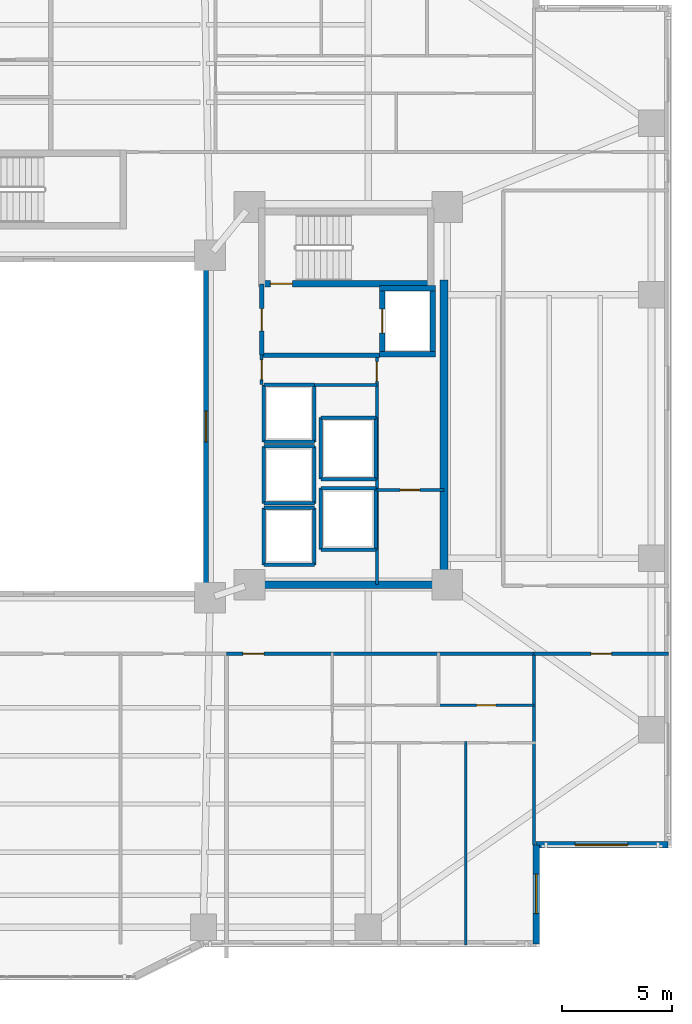
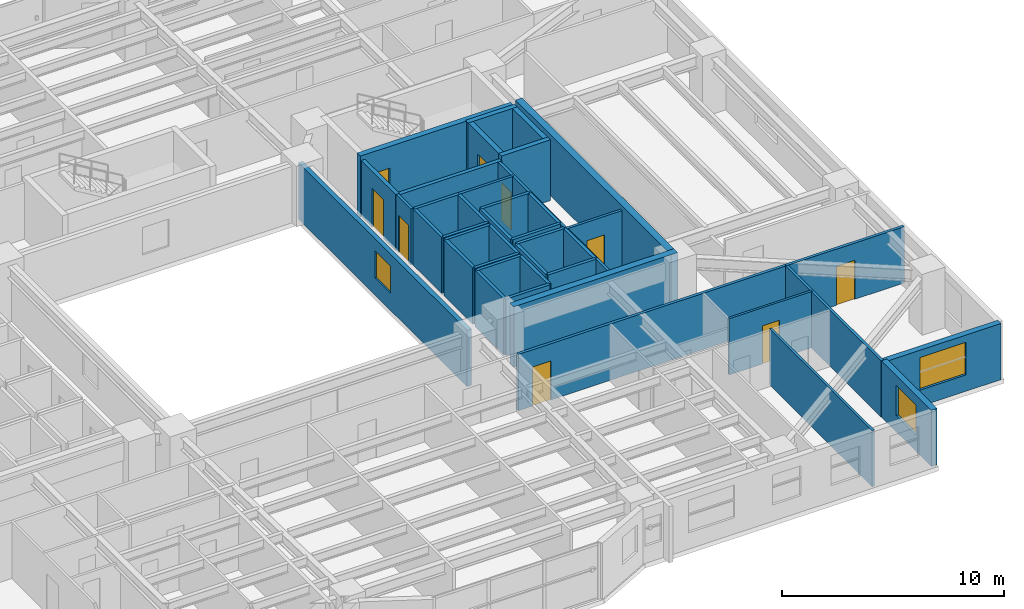
# One storey, part 12 of 20: 41 walls, 9 doors, 3 windows, 12 openings.
"""IFC4 building model written with IfcOpenShell, lengths in metres."""

from ifc_helpers import new_model, si_unit, direction, frame, frame_2d, origin, place, context, subcontext, project, spatial, rectangle, extrude, material, layer, layer_set, type_object, element, fill, save


model = new_model("IFC4")

# Units and contexts
model_context = context("Model", 3, precision=1e-05, world=origin(), true_north=direction((0.0, 1.0)))
body_context = subcontext(model_context, "Body", "Model", "MODEL_VIEW")
ifc_project = project(units=[si_unit("LENGTHUNIT", "METRE"), si_unit("AREAUNIT", "SQUARE_METRE"), si_unit("VOLUMEUNIT", "CUBIC_METRE"), si_unit("PLANEANGLEUNIT", "RADIAN"), si_unit("MASSUNIT", "GRAM", prefix="KILO")], contexts=[model_context])

# Site, building, storey
site_placement = place(None, origin())
site = spatial("IfcSite", under=ifc_project, at=site_placement, CompositionType="ELEMENT")
building_placement = place(site_placement, origin())
building = spatial("IfcBuilding", under=site, at=building_placement, Name="Tarnavaz Court Tower", CompositionType="ELEMENT")
storey_placement = place(building_placement, frame((0.0, 0.0, 30.699951171875)))
storey = spatial("IfcBuildingStorey", under=building, at=storey_placement, Name="L07", CompositionType="ELEMENT", Elevation=30.699951171875)

# Wall, opening, door
ifc_material_1 = material(Name="Concrete C60/75", Category="concrete")
ifc_layer_1 = layer(ifc_material_1, 0.25)
ifc_layer_set_1 = layer_set([ifc_layer_1], Name="Concrete C60/75")
wall_type_1 = type_object("IfcWallType", Name="WL-CORE-250-C60", PredefinedType="SHEAR", material=ifc_layer_set_1)
wall_1_placement = place(storey_placement, frame((15.64990234375, 3.175048828125, 0.0), z_axis=(0.0, 0.0, 1.0), x_axis=(0.0, 1.0, 0.0)))
wall_1 = element("IfcWall", 1, at=wall_1_placement, inside=storey, type_object=wall_type_1, Name="L07 Lift FL-E1 Shaft Wall 045", PredefinedType="SHEAR", context=body_context, shape_type="SweptSolid", body=[
    extrude(rectangle(XDim=3.25, YDim=0.25, at=frame_2d((1.625, 0.0))), origin(), (0.0, 0.0, 1.0), 3.35009765625),
])
opening_1_placement = place(wall_1_placement, frame((1.074951171875, 0.0, 0.0)))
opening_1 = element("IfcOpeningElement", 2, at=opening_1_placement, cuts=wall_1, Name="Opening LD1", PredefinedType="OPENING", context=body_context, shape_type="SweptSolid", body=[
    extrude(rectangle(XDim=1.10009765625, YDim=2.14990234375, at=frame_2d((0.550048828125, 1.074951171875))), frame((0.0, 0.135009765625, 0.0), z_axis=(0.0, -1.0, 0.0), x_axis=(1.0, 0.0, 0.0)), (0.0, 0.0, 1.0), 0.27001953125),
])
ifc_material_2 = material(Name="Stainless Steel", Category="steel")
door_type_1 = type_object("IfcDoorType", Name="DR-LD-1100", OperationType="NOTDEFINED", PredefinedType="DOOR", material=ifc_material_2)
door_1_placement = place(opening_1_placement, origin())
door_1 = element("IfcDoor", 3, at=door_1_placement, inside=storey, type_object=door_type_1, Name="L07 Lift Landing Door LD-FL-E1", OperationType="SLIDING_TO_LEFT", OverallHeight=2.14990234375, OverallWidth=1.10009765625, PredefinedType="DOOR", context=body_context, shape_type="SweptSolid", body=[
    extrude(rectangle(XDim=1.10009765625, YDim=2.14990234375, at=frame_2d((0.550048828125, 1.074951171875))), frame((0.0, 0.02490234375, 0.0), z_axis=(0.0, -1.0, 0.0), x_axis=(1.0, 0.0, 0.0)), (0.0, 0.0, 1.0), 0.050048828125),
])
fill(opening_1, door_1)

# Walls
wall_2_placement = place(storey_placement, frame((17.949951171875, 3.175048828125, 0.0), z_axis=(0.0, 0.0, 1.0), x_axis=(0.0, 1.0, 0.0)))
element("IfcWall", 4, at=wall_2_placement, inside=storey, type_object=wall_type_1, Name="L07 Lift FL-E1 Shaft Wall 046", PredefinedType="SHEAR", context=body_context, shape_type="SweptSolid", body=[
    extrude(rectangle(XDim=3.25, YDim=0.25, at=frame_2d((1.625, 0.0))), origin(), (0.0, 0.0, 1.0), 3.35009765625),
])
for number, where, z_axis, x_axis, name in (
    (5, (15.52490234375, 3.300048828125, 0.0), (0.0, 0.0, 1.0), (1.0, 0.0, 0.0), "L07 Lift FL-E1 Shaft Wall 047"),
    (6, (15.52490234375, 6.300048828125, 0.0), (0.0, 0.0, 1.0), (1.0, 0.0, 0.0), "L07 Lift FL-E1 Shaft Wall 048"),
):
    element("IfcWall", number, at=place(storey_placement, frame(where, z_axis=z_axis, x_axis=x_axis)), inside=storey, type_object=wall_type_1, Name=name, PredefinedType="SHEAR", context=body_context, shape_type="SweptSolid", body=[
        extrude(rectangle(XDim=2.550048828125, YDim=0.25, at=frame_2d((1.27490234375, 0.0))), origin(), (0.0, 0.0, 1.0), 3.35009765625),
    ])

# Wall, opening, door
ifc_layer_2 = layer(ifc_material_1, 0.300048828125)
ifc_layer_set_2 = layer_set([ifc_layer_2], Name="Concrete C60/75")
wall_type_2 = type_object("IfcWallType", Name="WL-CORE-300-C60", PredefinedType="SHEAR", material=ifc_layer_set_2)
wall_3_placement = place(storey_placement, frame((10.0, 6.5, 0.0), z_axis=(0.0, 0.0, 1.0), x_axis=(1.0, 0.0, 0.0)))
wall_3 = element("IfcWall", 7, at=wall_3_placement, inside=storey, type_object=wall_type_2, Name="L07 East Stair Core Wall 006", PredefinedType="SHEAR", context=body_context, shape_type="SweptSolid", body=[
    extrude(rectangle(XDim=8.0, YDim=0.300048828125, at=frame_2d((4.0, 0.0))), origin(), (0.0, 0.0, 1.0), 3.35009765625),
])
opening_2_placement = place(wall_3_placement, frame((0.550048828125, 0.0, 0.0)))
opening_2 = element("IfcOpeningElement", 8, at=opening_2_placement, cuts=wall_3, Name="Opening D01", PredefinedType="OPENING", context=body_context, shape_type="SweptSolid", body=[
    extrude(rectangle(XDim=1.0, YDim=2.14990234375, at=frame_2d((0.5, 1.074951171875))), frame((0.0, 0.159912109375, 0.0), z_axis=(0.0, -1.0, 0.0), x_axis=(1.0, 0.0, 0.0)), (0.0, 0.0, 1.0), 0.320068359375),
])
ifc_material_3 = material(Name="Fire-Rated Hardwood Timber Core", Category="wood")
door_type_2 = type_object("IfcDoorType", Name="DR-FD90-1000", OperationType="NOTDEFINED", PredefinedType="DOOR", material=ifc_material_3)
door_2_placement = place(opening_2_placement, origin())
door_2 = element("IfcDoor", 9, at=door_2_placement, inside=storey, type_object=door_type_2, Name="L07 Stair ST-E1 Exit Door", OperationType="SINGLE_SWING_RIGHT", OverallHeight=2.14990234375, OverallWidth=1.0, PredefinedType="DOOR", context=body_context, shape_type="SweptSolid", body=[
    extrude(rectangle(XDim=1.0, YDim=2.14990234375, at=frame_2d((0.5, 1.074951171875))), frame((0.0, 0.02490234375, 0.0), z_axis=(0.0, -1.0, 0.0), x_axis=(1.0, 0.0, 0.0)), (0.0, 0.0, 1.0), 0.050048828125),
])
fill(opening_2, door_2)

# Walls
ifc_layer_3 = layer(ifc_material_1, 0.35009765625)
ifc_layer_set_3 = layer_set([ifc_layer_3], Name="Concrete C60/75")
wall_type_3 = type_object("IfcWallType", Name="WL-CORE-350-C60", PredefinedType="SHEAR", material=ifc_layer_set_3)
wall_4_placement = place(storey_placement, frame((18.449951171875, -7.375, 0.0), z_axis=(0.0, 0.0, 1.0), x_axis=(0.0, 1.0, 0.0)))
element("IfcWall", 10, at=wall_4_placement, inside=storey, type_object=wall_type_3, Name="L07 East Core Shear Wall 071", PredefinedType="SHEAR", context=body_context, shape_type="SweptSolid", body=[
    extrude(rectangle(XDim=14.050048828125, YDim=0.35009765625, at=frame_2d((7.02490234375, 0.0))), origin(), (0.0, 0.0, 1.0), 3.35009765625),
])
wall_5_placement = place(storey_placement, frame((10.074951171875, -7.199951171875, 0.0), z_axis=(0.0, 0.0, 1.0), x_axis=(1.0, 0.0, 0.0)))
element("IfcWall", 11, at=wall_5_placement, inside=storey, type_object=wall_type_3, Name="L07 East Core South Shear Wall 072", PredefinedType="SHEAR", context=body_context, shape_type="SweptSolid", body=[
    extrude(rectangle(XDim=8.550048828125, YDim=0.35009765625, at=frame_2d((4.27490234375, 0.0))), origin(), (0.0, 0.0, 1.0), 3.35009765625),
])

# Wall, opening, window
ifc_material_4 = material(Name="Precast Concrete C40/50", Category="concrete")
ifc_layer_4 = layer(ifc_material_4, 0.300048828125)
ifc_layer_set_4 = layer_set([ifc_layer_4], Name="Precast Concrete C40/50")
wall_type_4 = type_object("IfcWallType", Name="WL-EXT-300", PredefinedType="SOLIDWALL", material=ifc_layer_set_4)
wall_6_placement = place(storey_placement, frame((28.64990234375, -19.050048828125, 0.0), z_axis=(0.0, 0.0, 1.0), x_axis=(-1.0, 0.0, 0.0)))
wall_6 = element("IfcWall", 12, at=wall_6_placement, inside=storey, type_object=wall_type_4, Name="L07 Exterior Terracotta Facade Wall 13", PredefinedType="SOLIDWALL", context=body_context, shape_type="SweptSolid", body=[
    extrude(rectangle(XDim=6.0, YDim=0.300048828125, at=frame_2d((3.0, 0.0))), origin(), (0.0, 0.0, 1.0), 3.10009765625),
])
opening_3_placement = place(wall_6_placement, frame((1.824951171875, 0.0, 0.89990234375)))
opening_3 = element("IfcOpeningElement", 13, at=opening_3_placement, cuts=wall_6, Name="Opening W06", PredefinedType="OPENING", context=body_context, shape_type="SweptSolid", body=[
    extrude(rectangle(XDim=2.39990234375, YDim=1.800048828125, at=frame_2d((1.199951171875, 0.89990234375))), frame((0.0, 0.159912109375, 0.0), z_axis=(0.0, -1.0, 0.0), x_axis=(1.0, 0.0, 0.0)), (0.0, 0.0, 1.0), 0.320068359375),
])
ifc_material_5 = material(Name="Double-Glazed Solar Low-E Glass", Category="glass")
window_type_1 = type_object("IfcWindowType", Name="WN-APT-2400", PartitioningType="TRIPLE_PANEL_VERTICAL", PredefinedType="WINDOW", material=ifc_material_5)
window_1_placement = place(opening_3_placement, origin())
window_1 = element("IfcWindow", 14, at=window_1_placement, inside=storey, type_object=window_type_1, Name="L07 South-East Corner Reading Room Window", OverallHeight=1.800048828125, OverallWidth=2.39990234375, PartitioningType="SINGLE_PANEL", PredefinedType="WINDOW", context=body_context, shape_type="SweptSolid", body=[
    extrude(rectangle(XDim=2.39990234375, YDim=1.800048828125, at=frame_2d((1.199951171875, 0.89990234375))), frame((0.0, 0.030029296875, 0.0), z_axis=(0.0, -1.0, 0.0), x_axis=(1.0, 0.0, 0.0)), (0.0, 0.0, 1.0), 0.06005859375),
])
fill(opening_3, window_1)

wall_7_placement = place(storey_placement, frame((22.64990234375, -19.050048828125, 0.0), z_axis=(0.0, 0.0, 1.0), x_axis=(0.0, -1.0, 0.0)))
wall_7 = element("IfcWall", 15, at=wall_7_placement, inside=storey, type_object=wall_type_4, Name="L07 Exterior Terracotta Facade Wall 14", PredefinedType="SOLIDWALL", context=body_context, shape_type="SweptSolid", body=[
    extrude(rectangle(XDim=4.5, YDim=0.300048828125, at=frame_2d((2.25, 0.0))), origin(), (0.0, 0.0, 1.0), 3.10009765625),
])
opening_4_placement = place(wall_7_placement, frame((1.33251953125, 0.0, 0.89990234375)))
opening_4 = element("IfcOpeningElement", 16, at=opening_4_placement, cuts=wall_7, Name="Opening W01", PredefinedType="OPENING", context=body_context, shape_type="SweptSolid", body=[
    extrude(rectangle(XDim=1.800048828125, YDim=1.64990234375, at=frame_2d((0.89990234375, 0.824951171875))), frame((0.0, 0.159912109375, 0.0), z_axis=(0.0, -1.0, 0.0), x_axis=(1.0, 0.0, 0.0)), (0.0, 0.0, 1.0), 0.320068359375),
])
window_type_2 = type_object("IfcWindowType", Name="WN-APT-1800", PartitioningType="DOUBLE_PANEL_VERTICAL", PredefinedType="WINDOW", material=ifc_material_5)
window_2_placement = place(opening_4_placement, origin())
window_2 = element("IfcWindow", 17, at=window_2_placement, inside=storey, type_object=window_type_2, Name="L07 Flat 04 Bedroom 3 Window", OverallHeight=1.64990234375, OverallWidth=1.800048828125, PartitioningType="SINGLE_PANEL", PredefinedType="WINDOW", context=body_context, shape_type="SweptSolid", body=[
    extrude(rectangle(XDim=1.800048828125, YDim=1.64990234375, at=frame_2d((0.89990234375, 0.824951171875))), frame((0.0, 0.030029296875, 0.0), z_axis=(0.0, -1.0, 0.0), x_axis=(1.0, 0.0, 0.0)), (0.0, 0.0, 1.0), 0.06005859375),
])
fill(opening_4, window_2)

# Wall, opening, door
ifc_material_6 = material(Name="Gypsum Fire-Board on Acoustic Metal Stud", Category="masonry")
ifc_layer_5 = layer(ifc_material_6, 0.14990234375)
ifc_layer_set_5 = layer_set([ifc_layer_5], Name="Gypsum Fire-Board on Acoustic Metal Stud")
wall_type_5 = type_object("IfcWallType", Name="WL-FIRE-150", PredefinedType="PARTITIONING", material=ifc_layer_set_5)
wall_8_placement = place(storey_placement, frame((8.550048828125, -10.35009765625, 0.0), z_axis=(0.0, 0.0, 1.0), x_axis=(1.0, 0.0, 0.0)))
wall_8 = element("IfcWall", 18, at=wall_8_placement, inside=storey, type_object=wall_type_5, Name="L07 SE Corridor Wall 086", PredefinedType="PARTITIONING", context=body_context, shape_type="SweptSolid", body=[
    extrude(rectangle(XDim=14.0, YDim=0.14990234375, at=frame_2d((7.0, 0.0))), origin(), (0.0, 0.0, 1.0), 3.10009765625),
])
opening_5_placement = place(wall_8_placement, frame((0.75, 0.0, 0.0)))
opening_5 = element("IfcOpeningElement", 19, at=opening_5_placement, cuts=wall_8, Name="Opening D06", PredefinedType="OPENING", context=body_context, shape_type="SweptSolid", body=[
    extrude(rectangle(XDim=0.9599609375, YDim=2.14990234375, at=frame_2d((0.47998046875, 1.074951171875))), frame((0.0, 0.0849609375, 0.0), z_axis=(0.0, -1.0, 0.0), x_axis=(1.0, 0.0, 0.0)), (0.0, 0.0, 1.0), 0.169921875),
])
door_type_3 = type_object("IfcDoorType", Name="DR-FD60-950", OperationType="NOTDEFINED", PredefinedType="DOOR", material=ifc_material_3)
door_3_placement = place(opening_5_placement, origin())
door_3 = element("IfcDoor", 20, at=door_3_placement, inside=storey, type_object=door_type_3, Name="L07 Flat 04 Entrance Door", OperationType="SINGLE_SWING_LEFT", OverallHeight=2.14990234375, OverallWidth=0.9599609375, PredefinedType="DOOR", context=body_context, shape_type="SweptSolid", body=[
    extrude(rectangle(XDim=0.9599609375, YDim=2.14990234375, at=frame_2d((0.47998046875, 1.074951171875))), frame((0.0, 0.02490234375, 0.0), z_axis=(0.0, -1.0, 0.0), x_axis=(1.0, 0.0, 0.0)), (0.0, 0.0, 1.0), 0.050048828125),
])
fill(opening_5, door_3)

wall_9_placement = place(storey_placement, frame((22.550048828125, -10.35009765625, 0.0), z_axis=(0.0, 0.0, 1.0), x_axis=(1.0, 0.0, 0.0)))
wall_9 = element("IfcWall", 21, at=wall_9_placement, inside=storey, type_object=wall_type_5, Name="L07 Interior Partition 132", PredefinedType="PARTITIONING", context=body_context, shape_type="SweptSolid", body=[
    extrude(rectangle(XDim=6.1298828125, YDim=0.14990234375, at=frame_2d((3.06494140625, 0.0))), origin(), (0.0, 0.0, 1.0), 3.10009765625),
])
opening_6_placement = place(wall_9_placement, frame((2.590087890625, 0.0, 0.0)))
opening_6 = element("IfcOpeningElement", 22, at=opening_6_placement, cuts=wall_9, Name="Opening D13", PredefinedType="OPENING", context=body_context, shape_type="SweptSolid", body=[
    extrude(rectangle(XDim=0.949951171875, YDim=2.14990234375, at=frame_2d((0.47509765625, 1.074951171875))), frame((0.0, 0.0849609375, 0.0), z_axis=(0.0, -1.0, 0.0), x_axis=(1.0, 0.0, 0.0)), (0.0, 0.0, 1.0), 0.169921875),
])
ifc_material_7 = material(Name="Engineered Oak Timber", Category="wood")
door_type_4 = type_object("IfcDoorType", Name="DR-INT-950", OperationType="NOTDEFINED", PredefinedType="DOOR", material=ifc_material_7)
door_4_placement = place(opening_6_placement, origin())
door_4 = element("IfcDoor", 23, at=door_4_placement, inside=storey, type_object=door_type_4, Name="L07 SE Reading Room Door", OperationType="SINGLE_SWING_RIGHT", OverallHeight=2.14990234375, OverallWidth=0.949951171875, PredefinedType="DOOR", context=body_context, shape_type="SweptSolid", body=[
    extrude(rectangle(XDim=0.949951171875, YDim=2.14990234375, at=frame_2d((0.47509765625, 1.074951171875))), frame((0.0, 0.02490234375, 0.0), z_axis=(0.0, -1.0, 0.0), x_axis=(1.0, 0.0, 0.0)), (0.0, 0.0, 1.0), 0.050048828125),
])
fill(opening_6, door_4)

# Wall
ifc_material_8 = material(Name="Autoclaved Aerated Concrete Blockwork", Category="masonry")
ifc_layer_6 = layer(ifc_material_8, 0.199951171875)
ifc_layer_set_6 = layer_set([ifc_layer_6], Name="Autoclaved Aerated Concrete Blockwork")
wall_type_6 = type_object("IfcWallType", Name="WL-FIRE-200", PredefinedType="SOLIDWALL", material=ifc_layer_set_6)
wall_10_placement = place(storey_placement, frame((10.14990234375, 3.25, 0.0), z_axis=(0.0, 0.0, 1.0), x_axis=(1.0, 0.0, 0.0)))
element("IfcWall", 24, at=wall_10_placement, inside=storey, type_object=wall_type_6, Name="L07 East Firefighting Lobby Wall 015", PredefinedType="SOLIDWALL", context=body_context, shape_type="SweptSolid", body=[
    extrude(rectangle(XDim=5.400146484375, YDim=0.199951171875, at=frame_2d((2.7001953125, 0.0))), origin(), (0.0, 0.0, 1.0), 3.10009765625),
])

# Wall, opening, door
wall_11_placement = place(storey_placement, frame((10.14990234375, 3.25, 0.0), z_axis=(0.0, 0.0, 1.0), x_axis=(0.0, 1.0, 0.0)))
wall_11 = element("IfcWall", 25, at=wall_11_placement, inside=storey, type_object=wall_type_6, Name="L07 East Firefighting Lobby Wall 016", PredefinedType="SOLIDWALL", context=body_context, shape_type="SweptSolid", body=[
    extrude(rectangle(XDim=3.25, YDim=0.199951171875, at=frame_2d((1.625, 0.0))), origin(), (0.0, 0.0, 1.0), 3.10009765625),
])
opening_7_placement = place(wall_11_placement, frame((1.10009765625, 0.0, 0.0)))
opening_7 = element("IfcOpeningElement", 26, at=opening_7_placement, cuts=wall_11, Name="Opening D05", PredefinedType="OPENING", context=body_context, shape_type="SweptSolid", body=[
    extrude(rectangle(XDim=1.02001953125, YDim=2.14990234375, at=frame_2d((0.510009765625, 1.074951171875))), frame((0.0, 0.10986328125, 0.0), z_axis=(0.0, -1.0, 0.0), x_axis=(1.0, 0.0, 0.0)), (0.0, 0.0, 1.0), 0.219970703125),
])
door_type_5 = type_object("IfcDoorType", Name="DR-FD60-1000", OperationType="NOTDEFINED", PredefinedType="DOOR", material=ifc_material_3)
door_5_placement = place(opening_7_placement, origin())
door_5 = element("IfcDoor", 27, at=door_5_placement, inside=storey, type_object=door_type_5, Name="L07 East Firefighting Lobby Door", OperationType="SINGLE_SWING_LEFT", OverallHeight=2.14990234375, OverallWidth=1.02001953125, PredefinedType="DOOR", context=body_context, shape_type="SweptSolid", body=[
    extrude(rectangle(XDim=1.02001953125, YDim=2.14990234375, at=frame_2d((0.510009765625, 1.074951171875))), frame((0.0, 0.02490234375, 0.0), z_axis=(0.0, -1.0, 0.0), x_axis=(1.0, 0.0, 0.0)), (0.0, 0.0, 1.0), 0.050048828125),
])
fill(opening_7, door_5)

ifc_material_9 = material(Name="Moisture-Resistant Gypsum Board Partition", Category="masonry")
ifc_layer_7 = layer(ifc_material_9, 0.1201171875)
ifc_layer_set_7 = layer_set([ifc_layer_7], Name="Moisture-Resistant Gypsum Board Partition")
wall_type_7 = type_object("IfcWallType", Name="WL-PART-120", PredefinedType="PARTITIONING", material=ifc_layer_set_7)
wall_12_placement = place(storey_placement, frame((18.199951171875, -12.68994140625, 0.0), z_axis=(0.0, 0.0, 1.0), x_axis=(1.0, 0.0, 0.0)))
wall_12 = element("IfcWall", 28, at=wall_12_placement, inside=storey, type_object=wall_type_7, Name="L07 Interior Partition 112", PredefinedType="PARTITIONING", context=body_context, shape_type="SweptSolid", body=[
    extrude(rectangle(XDim=4.35009765625, YDim=0.1201171875, at=frame_2d((2.175048828125, 0.0))), origin(), (0.0, 0.0, 1.0), 3.10009765625),
])
opening_8_placement = place(wall_12_placement, frame((1.735107421875, 0.0, 0.0)))
opening_8 = element("IfcOpeningElement", 29, at=opening_8_placement, cuts=wall_12, Name="Opening D14", PredefinedType="OPENING", context=body_context, shape_type="SweptSolid", body=[
    extrude(rectangle(XDim=0.8798828125, YDim=2.10009765625, at=frame_2d((0.43994140625, 1.050048828125))), frame((0.0, 0.070068359375, 0.0), z_axis=(0.0, -1.0, 0.0), x_axis=(1.0, 0.0, 0.0)), (0.0, 0.0, 1.0), 0.14013671875),
])
door_type_6 = type_object("IfcDoorType", Name="DR-INT-900", OperationType="NOTDEFINED", PredefinedType="DOOR", material=ifc_material_7)
door_6_placement = place(opening_8_placement, origin())
door_6 = element("IfcDoor", 30, at=door_6_placement, inside=storey, type_object=door_type_6, Name="L07 Flat 04 Bathroom Door", OperationType="SINGLE_SWING_RIGHT", OverallHeight=2.10009765625, OverallWidth=0.8798828125, PredefinedType="DOOR", context=body_context, shape_type="SweptSolid", body=[
    extrude(rectangle(XDim=0.8798828125, YDim=2.10009765625, at=frame_2d((0.43994140625, 1.050048828125))), frame((0.0, 0.02490234375, 0.0), z_axis=(0.0, -1.0, 0.0), x_axis=(1.0, 0.0, 0.0)), (0.0, 0.0, 1.0), 0.050048828125),
])
fill(opening_8, door_6)

# Walls
wall_13_placement = place(storey_placement, frame((19.447021484375, -23.60009765625, 0.0), z_axis=(0.0, 0.0, 1.0), x_axis=(0.0, 1.0, 0.0)))
element("IfcWall", 31, at=wall_13_placement, inside=storey, type_object=wall_type_7, Name="L07 Interior Partition 116", PredefinedType="PARTITIONING", context=body_context, shape_type="SweptSolid", body=[
    extrude(rectangle(XDim=9.260009765625, YDim=0.1201171875, at=frame_2d((4.6298828125, 0.0))), origin(), (0.0, 0.0, 1.0), 3.10009765625),
])
ifc_material_10 = material(Name="Gypsum Plasterboard Acoustic Partition", Category="masonry")
ifc_layer_8 = layer(ifc_material_10, 0.139892578125)
ifc_layer_set_8 = layer_set([ifc_layer_8], Name="Gypsum Plasterboard Acoustic Partition")
wall_type_8 = type_object("IfcWallType", Name="WL-PART-150", PredefinedType="PARTITIONING", material=ifc_layer_set_8)
wall_14_placement = place(storey_placement, frame((12.550048828125, 1.89990234375, 0.0), z_axis=(0.0, 0.0, 1.0), x_axis=(1.0, 0.0, 0.0)))
element("IfcWall", 32, at=wall_14_placement, inside=storey, type_object=wall_type_8, Name="L07 Interior Partition 077", PredefinedType="PARTITIONING", context=body_context, shape_type="SweptSolid", body=[
    extrude(rectangle(XDim=2.849853515625, YDim=0.139892578125, at=frame_2d((1.4248046875, 0.0))), origin(), (0.0, 0.0, 1.0), 3.10009765625),
])

# Wall, opening, door
wall_15_placement = place(storey_placement, frame((10.14990234375, 1.919921875, 0.0), z_axis=(0.0, 0.0, 1.0), x_axis=(0.0, 1.0, 0.0)))
wall_15 = element("IfcWall", 33, at=wall_15_placement, inside=storey, type_object=wall_type_8, Name="L07 Interior Partition 078", PredefinedType="PARTITIONING", context=body_context, shape_type="SweptSolid", body=[
    extrude(rectangle(XDim=1.330078125, YDim=0.139892578125, at=frame_2d((0.6650390625, 0.0))), origin(), (0.0, 0.0, 1.0), 3.10009765625),
])
opening_9_placement = place(wall_15_placement, frame((0.219970703125, 0.0, 0.0)))
opening_9 = element("IfcOpeningElement", 34, at=opening_9_placement, cuts=wall_15, Name="Opening D09", PredefinedType="OPENING", context=body_context, shape_type="SweptSolid", body=[
    extrude(rectangle(XDim=0.89990234375, YDim=2.080078125, at=frame_2d((0.449951171875, 1.0400390625))), frame((0.0, 0.079833984375, 0.0), z_axis=(0.0, -1.0, 0.0), x_axis=(1.0, 0.0, 0.0)), (0.0, 0.0, 1.0), 0.159912109375),
])
door_type_7 = type_object("IfcDoorType", Name="DR-FD30-900", OperationType="NOTDEFINED", PredefinedType="DOOR", material=ifc_material_3)
door_7_placement = place(opening_9_placement, origin())
door_7 = element("IfcDoor", 35, at=door_7_placement, inside=storey, type_object=door_type_7, Name="L07 East Core Service Lobby Door", OperationType="SINGLE_SWING_RIGHT", OverallHeight=2.080078125, OverallWidth=0.89990234375, PredefinedType="DOOR", context=body_context, shape_type="SweptSolid", body=[
    extrude(rectangle(XDim=0.89990234375, YDim=2.080078125, at=frame_2d((0.449951171875, 1.0400390625))), frame((0.0, 0.02490234375, 0.0), z_axis=(0.0, -1.0, 0.0), x_axis=(1.0, 0.0, 0.0)), (0.0, 0.0, 1.0), 0.050048828125),
])
fill(opening_9, door_7)

wall_16_placement = place(storey_placement, frame((15.39990234375, -7.199951171875, 0.0), z_axis=(0.0, 0.0, 1.0), x_axis=(0.0, 1.0, 0.0)))
wall_16 = element("IfcWall", 36, at=wall_16_placement, inside=storey, type_object=wall_type_8, Name="L07 Interior Partition 079", PredefinedType="PARTITIONING", context=body_context, shape_type="SweptSolid", body=[
    extrude(rectangle(XDim=10.449951171875, YDim=0.139892578125, at=frame_2d((5.22509765625, 0.0))), origin(), (0.0, 0.0, 1.0), 3.10009765625),
])
opening_10_placement = place(wall_16_placement, frame((9.25, 0.0, 0.0)))
opening_10 = element("IfcOpeningElement", 37, at=opening_10_placement, cuts=wall_16, Name="Opening D09", PredefinedType="OPENING", context=body_context, shape_type="SweptSolid", body=[
    extrude(rectangle(XDim=0.89990234375, YDim=2.080078125, at=frame_2d((0.449951171875, 1.0400390625))), frame((0.0, 0.079833984375, 0.0), z_axis=(0.0, -1.0, 0.0), x_axis=(1.0, 0.0, 0.0)), (0.0, 0.0, 1.0), 0.159912109375),
])
door_8_placement = place(opening_10_placement, origin())
door_8 = element("IfcDoor", 38, at=door_8_placement, inside=storey, type_object=door_type_7, Name="L07 East Wet Riser Door", OperationType="SINGLE_SWING_LEFT", OverallHeight=2.080078125, OverallWidth=0.89990234375, PredefinedType="DOOR", context=body_context, shape_type="SweptSolid", body=[
    extrude(rectangle(XDim=0.89990234375, YDim=2.080078125, at=frame_2d((0.449951171875, 1.0400390625))), frame((0.0, 0.02490234375, 0.0), z_axis=(0.0, -1.0, 0.0), x_axis=(1.0, 0.0, 0.0)), (0.0, 0.0, 1.0), 0.050048828125),
])
fill(opening_10, door_8)

wall_17_placement = place(storey_placement, frame((15.39990234375, -2.889892578125, 0.0), z_axis=(0.0, 0.0, 1.0), x_axis=(1.0, 0.0, 0.0)))
wall_17 = element("IfcWall", 39, at=wall_17_placement, inside=storey, type_object=wall_type_8, Name="L07 Interior Partition 080", PredefinedType="PARTITIONING", context=body_context, shape_type="SweptSolid", body=[
    extrude(rectangle(XDim=3.050048828125, YDim=0.139892578125, at=frame_2d((1.52490234375, 0.0))), origin(), (0.0, 0.0, 1.0), 3.10009765625),
])
opening_11_placement = place(wall_17_placement, frame((1.050048828125, 0.0, 0.0)))
opening_11 = element("IfcOpeningElement", 40, at=opening_11_placement, cuts=wall_17, Name="Opening D09", PredefinedType="OPENING", context=body_context, shape_type="SweptSolid", body=[
    extrude(rectangle(XDim=0.89990234375, YDim=2.080078125, at=frame_2d((0.449951171875, 1.0400390625))), frame((0.0, 0.079833984375, 0.0), z_axis=(0.0, -1.0, 0.0), x_axis=(1.0, 0.0, 0.0)), (0.0, 0.0, 1.0), 0.159912109375),
])
door_9_placement = place(opening_11_placement, origin())
door_9 = element("IfcDoor", 41, at=door_9_placement, inside=storey, type_object=door_type_7, Name="L07 East Electrical Plant Door", OperationType="SINGLE_SWING_RIGHT", OverallHeight=2.080078125, OverallWidth=0.89990234375, PredefinedType="DOOR", context=body_context, shape_type="SweptSolid", body=[
    extrude(rectangle(XDim=0.89990234375, YDim=2.080078125, at=frame_2d((0.449951171875, 1.0400390625))), frame((0.0, 0.02490234375, 0.0), z_axis=(0.0, -1.0, 0.0), x_axis=(1.0, 0.0, 0.0)), (0.0, 0.0, 1.0), 0.050048828125),
])
fill(opening_11, door_9)

# Walls
wall_18_placement = place(storey_placement, frame((22.550048828125, -19.050048828125, 0.0), z_axis=(0.0, 0.0, 1.0), x_axis=(0.0, 1.0, 0.0)))
element("IfcWall", 42, at=wall_18_placement, inside=storey, type_object=wall_type_8, Name="L07 Interior Partition 126", PredefinedType="PARTITIONING", context=body_context, shape_type="SweptSolid", body=[
    extrude(rectangle(XDim=8.699951171875, YDim=0.139892578125, at=frame_2d((4.35009765625, 0.0))), origin(), (0.0, 0.0, 1.0), 3.10009765625),
])
ifc_layer_9 = layer(ifc_material_8, 0.159912109375)
ifc_layer_set_9 = layer_set([ifc_layer_9], Name="Autoclaved Aerated Concrete Blockwork")
wall_type_9 = type_object("IfcWallType", Name="WL-SHAFT-150", PredefinedType="SOLIDWALL", material=ifc_layer_set_9)
for number, where, z_axis, x_axis, name in (
    (43, (10.25, -6.300048828125, 0.0), (0.0, 0.0, 1.0), (0.0, 1.0, 0.0), "L07 Lift PL-M1 Shaft Wall 049"),
    (44, (12.550048828125, -6.300048828125, 0.0), (0.0, 0.0, 1.0), (0.0, 1.0, 0.0), "L07 Lift PL-M1 Shaft Wall 050"),
):
    element("IfcWall", number, at=place(storey_placement, frame(where, z_axis=z_axis, x_axis=x_axis)), inside=storey, type_object=wall_type_9, Name=name, PredefinedType="SOLIDWALL", context=body_context, shape_type="SweptSolid", body=[
        extrude(rectangle(XDim=2.60009765625, YDim=0.159912109375, at=frame_2d((1.300048828125, 0.0))), origin(), (0.0, 0.0, 1.0), 3.10009765625),
    ])
for number, where, z_axis, x_axis, name in (
    (45, (10.25, -6.300048828125, 0.0), (0.0, 0.0, 1.0), (1.0, 0.0, 0.0), "L07 Lift PL-M1 Shaft Wall 051"),
    (46, (10.25, -3.699951171875, 0.0), (0.0, 0.0, 1.0), (1.0, 0.0, 0.0), "L07 Lift PL-M1 Shaft Wall 052"),
):
    element("IfcWall", number, at=place(storey_placement, frame(where, z_axis=z_axis, x_axis=x_axis)), inside=storey, type_object=wall_type_9, Name=name, PredefinedType="SOLIDWALL", context=body_context, shape_type="SweptSolid", body=[
        extrude(rectangle(XDim=2.300048828125, YDim=0.159912109375, at=frame_2d((1.14990234375, 0.0))), origin(), (0.0, 0.0, 1.0), 3.10009765625),
    ])
for number, where, z_axis, x_axis, name in (
    (47, (10.25, -3.5, 0.0), (0.0, 0.0, 1.0), (0.0, 1.0, 0.0), "L07 Lift PL-M2 Shaft Wall 053"),
    (48, (12.550048828125, -3.5, 0.0), (0.0, 0.0, 1.0), (0.0, 1.0, 0.0), "L07 Lift PL-M2 Shaft Wall 054"),
):
    element("IfcWall", number, at=place(storey_placement, frame(where, z_axis=z_axis, x_axis=x_axis)), inside=storey, type_object=wall_type_9, Name=name, PredefinedType="SOLIDWALL", context=body_context, shape_type="SweptSolid", body=[
        extrude(rectangle(XDim=2.60009765625, YDim=0.159912109375, at=frame_2d((1.300048828125, 0.0))), origin(), (0.0, 0.0, 1.0), 3.10009765625),
    ])
for number, where, z_axis, x_axis, name in (
    (49, (10.25, -3.5, 0.0), (0.0, 0.0, 1.0), (1.0, 0.0, 0.0), "L07 Lift PL-M2 Shaft Wall 055"),
    (50, (10.25, -0.89990234375, 0.0), (0.0, 0.0, 1.0), (1.0, 0.0, 0.0), "L07 Lift PL-M2 Shaft Wall 056"),
):
    element("IfcWall", number, at=place(storey_placement, frame(where, z_axis=z_axis, x_axis=x_axis)), inside=storey, type_object=wall_type_9, Name=name, PredefinedType="SOLIDWALL", context=body_context, shape_type="SweptSolid", body=[
        extrude(rectangle(XDim=2.300048828125, YDim=0.159912109375, at=frame_2d((1.14990234375, 0.0))), origin(), (0.0, 0.0, 1.0), 3.10009765625),
    ])
for number, where, z_axis, x_axis, name in (
    (51, (10.25, -0.699951171875, 0.0), (0.0, 0.0, 1.0), (0.0, 1.0, 0.0), "L07 Lift PL-M3 Shaft Wall 057"),
    (52, (12.550048828125, -0.699951171875, 0.0), (0.0, 0.0, 1.0), (0.0, 1.0, 0.0), "L07 Lift PL-M3 Shaft Wall 058"),
):
    element("IfcWall", number, at=place(storey_placement, frame(where, z_axis=z_axis, x_axis=x_axis)), inside=storey, type_object=wall_type_9, Name=name, PredefinedType="SOLIDWALL", context=body_context, shape_type="SweptSolid", body=[
        extrude(rectangle(XDim=2.599853515625, YDim=0.159912109375, at=frame_2d((1.2998046875, 0.0))), origin(), (0.0, 0.0, 1.0), 3.10009765625),
    ])
for number, where, z_axis, x_axis, name in (
    (53, (10.25, -0.699951171875, 0.0), (0.0, 0.0, 1.0), (1.0, 0.0, 0.0), "L07 Lift PL-M3 Shaft Wall 059"),
    (54, (10.25, 1.89990234375, 0.0), (0.0, 0.0, 1.0), (1.0, 0.0, 0.0), "L07 Lift PL-M3 Shaft Wall 060"),
):
    element("IfcWall", number, at=place(storey_placement, frame(where, z_axis=z_axis, x_axis=x_axis)), inside=storey, type_object=wall_type_9, Name=name, PredefinedType="SOLIDWALL", context=body_context, shape_type="SweptSolid", body=[
        extrude(rectangle(XDim=2.300048828125, YDim=0.159912109375, at=frame_2d((1.14990234375, 0.0))), origin(), (0.0, 0.0, 1.0), 3.10009765625),
    ])
for number, where, z_axis, x_axis, name in (
    (55, (12.85009765625, -5.60009765625, 0.0), (0.0, 0.0, 1.0), (0.0, 1.0, 0.0), "L07 Lift PL-OB1 Shaft Wall 061"),
    (56, (15.35009765625, -5.60009765625, 0.0), (0.0, 0.0, 1.0), (0.0, 1.0, 0.0), "L07 Lift PL-OB1 Shaft Wall 062"),
):
    element("IfcWall", number, at=place(storey_placement, frame(where, z_axis=z_axis, x_axis=x_axis)), inside=storey, type_object=wall_type_9, Name=name, PredefinedType="SOLIDWALL", context=body_context, shape_type="SweptSolid", body=[
        extrude(rectangle(XDim=2.800048828125, YDim=0.159912109375, at=frame_2d((1.39990234375, 0.0))), origin(), (0.0, 0.0, 1.0), 3.10009765625),
    ])
for number, where, z_axis, x_axis, name in (
    (57, (12.85009765625, -5.60009765625, 0.0), (0.0, 0.0, 1.0), (1.0, 0.0, 0.0), "L07 Lift PL-OB1 Shaft Wall 063"),
    (58, (12.85009765625, -2.800048828125, 0.0), (0.0, 0.0, 1.0), (1.0, 0.0, 0.0), "L07 Lift PL-OB1 Shaft Wall 064"),
):
    element("IfcWall", number, at=place(storey_placement, frame(where, z_axis=z_axis, x_axis=x_axis)), inside=storey, type_object=wall_type_9, Name=name, PredefinedType="SOLIDWALL", context=body_context, shape_type="SweptSolid", body=[
        extrude(rectangle(XDim=2.5, YDim=0.159912109375, at=frame_2d((1.25, 0.0))), origin(), (0.0, 0.0, 1.0), 3.10009765625),
    ])
for number, where, z_axis, x_axis, name in (
    (59, (12.85009765625, -2.39990234375, 0.0), (0.0, 0.0, 1.0), (0.0, 1.0, 0.0), "L07 Lift PL-OB2 Shaft Wall 065"),
    (60, (15.35009765625, -2.39990234375, 0.0), (0.0, 0.0, 1.0), (0.0, 1.0, 0.0), "L07 Lift PL-OB2 Shaft Wall 066"),
):
    element("IfcWall", number, at=place(storey_placement, frame(where, z_axis=z_axis, x_axis=x_axis)), inside=storey, type_object=wall_type_9, Name=name, PredefinedType="SOLIDWALL", context=body_context, shape_type="SweptSolid", body=[
        extrude(rectangle(XDim=2.7998046875, YDim=0.159912109375, at=frame_2d((1.39990234375, 0.0))), origin(), (0.0, 0.0, 1.0), 3.10009765625),
    ])
for number, where, z_axis, x_axis, name in (
    (61, (12.85009765625, -2.39990234375, 0.0), (0.0, 0.0, 1.0), (1.0, 0.0, 0.0), "L07 Lift PL-OB2 Shaft Wall 067"),
    (62, (12.85009765625, 0.39990234375, 0.0), (0.0, 0.0, 1.0), (1.0, 0.0, 0.0), "L07 Lift PL-OB2 Shaft Wall 068"),
):
    element("IfcWall", number, at=place(storey_placement, frame(where, z_axis=z_axis, x_axis=x_axis)), inside=storey, type_object=wall_type_9, Name=name, PredefinedType="SOLIDWALL", context=body_context, shape_type="SweptSolid", body=[
        extrude(rectangle(XDim=2.5, YDim=0.159912109375, at=frame_2d((1.25, 0.0))), origin(), (0.0, 0.0, 1.0), 3.10009765625),
    ])

# Wall, opening, window
ifc_layer_10 = layer(ifc_material_4, 0.239990234375)
ifc_layer_set_10 = layer_set([ifc_layer_10], Name="Precast Concrete C40/50")
wall_type_10 = type_object("IfcWallType", Name="WL-WELL-240", PredefinedType="SOLIDWALL", material=ifc_layer_set_10)
wall_19_placement = place(storey_placement, frame((7.6201171875, -7.6201171875, 0.0), z_axis=(0.0, 0.0, 1.0), x_axis=(0.0, 1.0, 0.0)))
wall_19 = element("IfcWall", 63, at=wall_19_placement, inside=storey, type_object=wall_type_10, Name="L07 Badgir Light-Well Exterior Wall E", PredefinedType="SOLIDWALL", context=body_context, shape_type="SweptSolid", body=[
    extrude(rectangle(XDim=15.240234375, YDim=0.239990234375, at=frame_2d((7.6201171875, 0.0))), origin(), (0.0, 0.0, 1.0), 3.10009765625),
])
opening_12_placement = place(wall_19_placement, frame((6.919921875, 0.0, 0.949951171875)))
opening_12 = element("IfcOpeningElement", 64, at=opening_12_placement, cuts=wall_19, Name="Opening W13", PredefinedType="OPENING", context=body_context, shape_type="SweptSolid", body=[
    extrude(rectangle(XDim=1.39990234375, YDim=1.5, at=frame_2d((0.699951171875, 0.75))), frame((0.0, 0.1298828125, 0.0), z_axis=(0.0, -1.0, 0.0), x_axis=(1.0, 0.0, 0.0)), (0.0, 0.0, 1.0), 0.260009765625),
])
window_type_3 = type_object("IfcWindowType", Name="WN-WEL-1400", PartitioningType="SINGLE_PANEL", PredefinedType="WINDOW", material=ifc_material_5)
window_3_placement = place(opening_12_placement, origin())
window_3 = element("IfcWindow", 65, at=window_3_placement, inside=storey, type_object=window_type_3, Name="L07 Courtyard Gallery Window E", OverallHeight=1.5, OverallWidth=1.39990234375, PartitioningType="SINGLE_PANEL", PredefinedType="WINDOW", context=body_context, shape_type="SweptSolid", body=[
    extrude(rectangle(XDim=1.39990234375, YDim=1.5, at=frame_2d((0.699951171875, 0.75))), frame((0.0, 0.030029296875, 0.0), z_axis=(0.0, -1.0, 0.0), x_axis=(1.0, 0.0, 0.0)), (0.0, 0.0, 1.0), 0.06005859375),
])
fill(opening_12, window_3)

save(model, "model.ifc")
